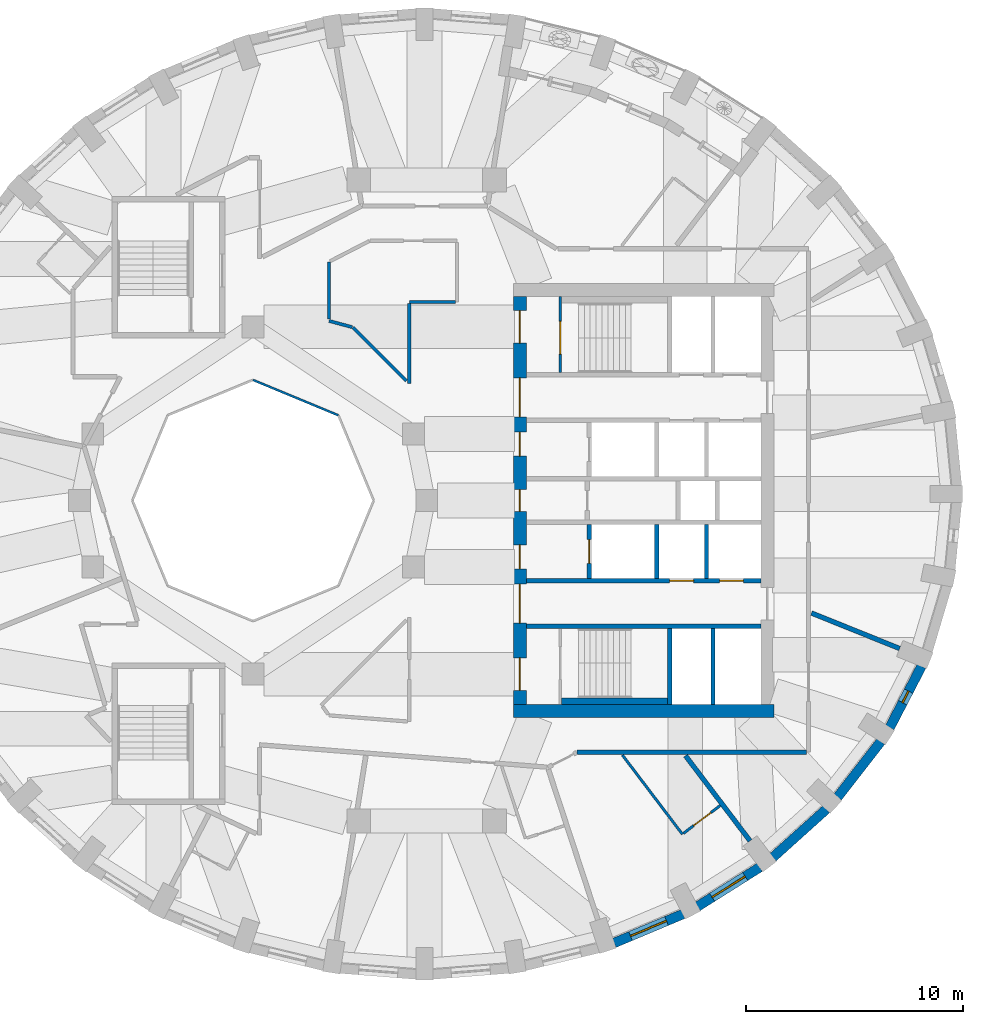
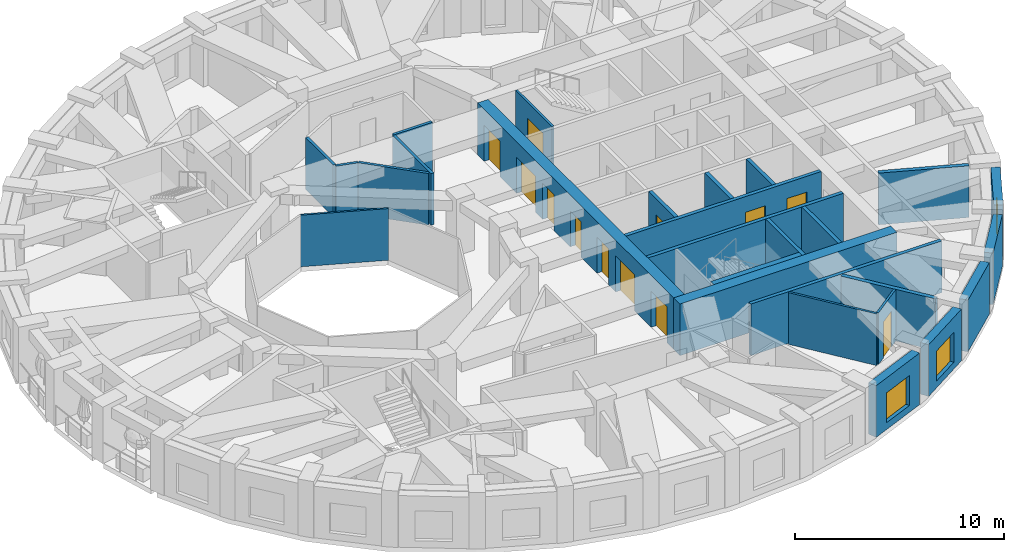
# One storey, part 5 of 12: 27 walls, 12 doors, 3 windows, 15 openings.
"""IFC4 building model written with IfcOpenShell, lengths in metres."""

import ifcopenshell
import ifcopenshell.guid

model = None  # the IFC model being written
_history = None  # IfcOwnerHistory: only IFC2X3 demands one
_inside = {}  # id of a spatial element -> (the spatial element, [elements in it])
_under = {}  # id of a project, library or spatial element -> (it, [spatial elements below it])
_declared = {}  # id of a project -> (the project, [libraries it declares])
_typed = {}  # id of a type object -> (the type object, [elements of that type])
_made_of = {}  # id of a material, layer set ... -> (it, [elements and type objects made of it])


def new_model(schema):
    """Start an empty IFC model of exactly this schema.

    Asked for "IFC4X3", IfcOpenShell would pick the latest addendum, in which some entities
    have other attributes; the version numbers below select the first issue.
    IFC2X3 requires an IfcOwnerHistory on every rooted entity: one is made here for all.
    """
    global model, _history
    if schema == "IFC4X3":
        model = ifcopenshell.file(schema_version=(4, 3, 0, 0))
    else:
        model = ifcopenshell.file(schema=schema)
    _inside.clear()
    _under.clear()
    _declared.clear()
    _typed.clear()
    _made_of.clear()
    _history = None
    if model.schema == "IFC2X3":
        org = make("IfcOrganization", Name="unknown")
        user = make(
            "IfcPersonAndOrganization",
            ThePerson=make("IfcPerson", FamilyName="unknown"),
            TheOrganization=org,
        )
        app = make(
            "IfcApplication",
            ApplicationDeveloper=org,
            Version="unknown",
            ApplicationFullName="unknown",
            ApplicationIdentifier="unknown",
        )
        _history = make(
            "IfcOwnerHistory",
            OwningUser=user,
            OwningApplication=app,
            ChangeAction="ADDED",
            CreationDate=0,
        )
    return model


def make(cls, **values):
    """One entity of the class cls with the attributes given. An attribute that is None is left unset."""
    return model.create_entity(
        cls, **{name: value for name, value in values.items() if value is not None}
    )


def rooted(cls, **values):
    """An entity with a GlobalId (a new one), such as an element, a storey or a relation."""
    return make(cls, GlobalId=ifcopenshell.guid.new(), OwnerHistory=_history, **values)


def si_unit(unit_type, name, prefix=None):
    """IfcSIUnit, for example si_unit("LENGTHUNIT", "METRE", prefix="MILLI")."""
    return make("IfcSIUnit", UnitType=unit_type, Prefix=prefix, Name=name)


def assignment(units):
    """IfcUnitAssignment: the units of a project."""
    return None if units is None else make("IfcUnitAssignment", Units=units)


def point(xyz):
    """IfcCartesianPoint."""
    return None if xyz is None else make("IfcCartesianPoint", Coordinates=xyz)


def direction(xyz):
    """IfcDirection."""
    return None if xyz is None else make("IfcDirection", DirectionRatios=xyz)


def frame(location, z_axis=None, x_axis=None):
    """IfcAxis2Placement3D, a coordinate frame: its origin and axes. An axis left out is left unset."""
    return make(
        "IfcAxis2Placement3D",
        Location=point(location),
        Axis=direction(z_axis),
        RefDirection=direction(x_axis),
    )


def frame_2d(location, x_axis=None):
    """IfcAxis2Placement2D, a coordinate frame in the plane: its origin and x axis."""
    return make(
        "IfcAxis2Placement2D", Location=point(location), RefDirection=direction(x_axis)
    )


def origin():
    """The frame at (0, 0, 0) with its axes left unset."""
    return frame((0.0, 0.0, 0.0))


def place(relative_to, where):
    """IfcLocalPlacement: puts the frame where relative to a parent placement (None: the world)."""
    return make(
        "IfcLocalPlacement", PlacementRelTo=relative_to, RelativePlacement=where
    )


def context(
    kind, dimensions, precision=None, world=None, true_north=None, identifier=None
):
    """IfcGeometricRepresentationContext, for example the 3D "Model" context."""
    return make(
        "IfcGeometricRepresentationContext",
        ContextIdentifier=identifier,
        ContextType=kind,
        CoordinateSpaceDimension=dimensions,
        Precision=precision,
        WorldCoordinateSystem=world,
        TrueNorth=true_north,
    )


def subcontext(parent, identifier, kind, view, scale=None):
    """IfcGeometricRepresentationSubContext, for example "Body" below "Model"."""
    return make(
        "IfcGeometricRepresentationSubContext",
        ContextIdentifier=identifier,
        ContextType=kind,
        ParentContext=parent,
        TargetScale=scale,
        TargetView=view,
    )


def project(units=None, contexts=None):
    """IfcProject with its units and contexts."""
    return rooted(
        "IfcProject",
        Name="project",
        RepresentationContexts=contexts,
        UnitsInContext=assignment(units),
    )


def spatial(cls, under=None, at=None, **own):
    """A site, building, storey or space (cls), placed at a placement, below another one or the project."""
    s = rooted(cls, ObjectPlacement=at, **own)
    if under is not None:
        _under.setdefault(under.id(), (under, []))[1].append(s)
    return s


def profile(cls, at=None, kind="AREA", **sizes):
    """A parametric profile (cls). Its sizes go by their IFC names, for example OverallWidth=200.0."""
    return make(cls, ProfileType=kind, Position=at, **sizes)


def rectangle(**sizes):
    """IfcRectangleProfileDef."""
    return profile("IfcRectangleProfileDef", **sizes)


def extrude(swept, where, along, depth):
    """IfcExtrudedAreaSolid: the profile swept, set in the frame where, extruded along a direction by depth."""
    return make(
        "IfcExtrudedAreaSolid",
        SweptArea=swept,
        Position=where,
        ExtrudedDirection=direction(along),
        Depth=depth,
    )


def shape(context_of_items, identifier, shape_type, items):
    """IfcShapeRepresentation: the items that make up one representation, for example the "Body"."""
    return make(
        "IfcShapeRepresentation",
        ContextOfItems=context_of_items,
        RepresentationIdentifier=identifier,
        RepresentationType=shape_type,
        Items=items,
    )


def material(Name=None, Category=None):
    """IfcMaterial."""
    return make("IfcMaterial", Name=Name, Category=Category)


def layer(
    of_material, thickness, ventilated=None, Name=None, Category=None, Priority=None
):
    """IfcMaterialLayer: one layer of a wall or slab, of a material (None: an air gap)."""
    return make(
        "IfcMaterialLayer",
        Material=of_material,
        LayerThickness=thickness,
        IsVentilated=ventilated,
        Name=Name,
        Category=Category,
        Priority=Priority,
    )


def layer_set(layers, Name=None):
    """IfcMaterialLayerSet."""
    return make("IfcMaterialLayerSet", MaterialLayers=layers, LayerSetName=Name)


def made_of(thing, what):
    """Note that an element or type object is made of a material, layer set ...; save() writes the relation."""
    if what is not None:
        _made_of.setdefault(what.id(), (what, []))[1].append(thing)
    return thing


def type_object(cls, material=None, **own):
    """A type object (cls), such as IfcWallType, which elements share."""
    return made_of(rooted(cls, **own), material)


def element(
    cls,
    number,
    at=None,
    inside=None,
    cuts=None,
    type_object=None,
    material=None,
    context=None,
    identifier="Body",
    shape_type=None,
    held_by="IfcProductDefinitionShape",
    body=None,
    shapes=None,
    **own,
):
    """One element of the class cls, such as IfcWall. Its Tag is "e" and its number.

    at: its placement. inside: the storey or other place that contains it. cuts: it is an
    opening in that element (IfcRelVoidsElement). A single representation is given by context,
    identifier, shape_type and body (its items); several are given by shapes. held_by: the class
    of the entity that holds the representations. save() writes the other relations.
    """
    e = rooted(cls, Tag="e%d" % number, ObjectPlacement=at, **own)
    if body is not None:
        shapes = [shape(context, identifier, shape_type, body)]
    if shapes is not None:
        e.Representation = make(held_by, Representations=shapes)
    if inside is not None:
        _inside.setdefault(inside.id(), (inside, []))[1].append(e)
    if cuts is not None:
        rooted(
            "IfcRelVoidsElement", RelatingBuildingElement=cuts, RelatedOpeningElement=e
        )
    if type_object is not None:
        _typed.setdefault(type_object.id(), (type_object, []))[1].append(e)
    return made_of(e, material)


def fill(opening, filler):
    """IfcRelFillsElement: the door or window that sits in an opening."""
    return rooted(
        "IfcRelFillsElement",
        RelatingOpeningElement=opening,
        RelatedBuildingElement=filler,
    )


def aggregate(whole, parts):
    """IfcRelAggregates: a whole, such as a stair, and the parts it consists of."""
    return rooted("IfcRelAggregates", RelatingObject=whole, RelatedObjects=parts)


def save(model, path):
    """Write the relations noted so far, then the file.

    IfcRelAggregates (storeys below a building ...), IfcRelContainedInSpatialStructure (elements
    in a storey), IfcRelDefinesByType, IfcRelAssociatesMaterial and IfcRelDeclares: one each for
    every whole, place, type object, material and project.
    """
    for whole, parts in _under.values():
        aggregate(whole, parts)
    for where, things in _inside.values():
        rooted(
            "IfcRelContainedInSpatialStructure",
            RelatedElements=things,
            RelatingStructure=where,
        )
    for kind, things in _typed.values():
        rooted("IfcRelDefinesByType", RelatedObjects=things, RelatingType=kind)
    for what, things in _made_of.values():
        rooted("IfcRelAssociatesMaterial", RelatedObjects=things, RelatingMaterial=what)
    for by, libraries in _declared.values():
        rooted("IfcRelDeclares", RelatingContext=by, RelatedDefinitions=libraries)
    model.write(path)


model = new_model("IFC4")

# Units and contexts
model_context = context("Model", 3, precision=1e-05, world=origin(), true_north=direction((0.0, 1.0)))
body_context = subcontext(model_context, "Body", "Model", "MODEL_VIEW")
ifc_project = project(units=[si_unit("LENGTHUNIT", "METRE"), si_unit("AREAUNIT", "SQUARE_METRE"), si_unit("VOLUMEUNIT", "CUBIC_METRE"), si_unit("PLANEANGLEUNIT", "RADIAN"), si_unit("MASSUNIT", "GRAM", prefix="KILO")], contexts=[model_context])

# Site, building, storey
site_placement = place(None, origin())
site = spatial("IfcSite", under=ifc_project, at=site_placement, CompositionType="ELEMENT")
building_placement = place(site_placement, origin())
building = spatial("IfcBuilding", under=site, at=building_placement, Name="Taillehof Tower", CompositionType="ELEMENT")
storey_placement = place(building_placement, frame((0.0, 0.0, 236.60009765625)))
storey = spatial("IfcBuildingStorey", under=building, at=storey_placement, Name="L67", CompositionType="ELEMENT", Elevation=236.60009765625)

# Wall
ifc_material_1 = material(Name="Fire-resisting glass in steel frame", Category="steel")
ifc_layer_1 = layer(ifc_material_1, 0.10009765625)
ifc_layer_set_1 = layer_set([ifc_layer_1], Name="Atrium fire-resisting screen EI 60 100")
wall_type_1 = type_object("IfcWallType", Name="Atrium fire-resisting screen EI 60 100", PredefinedType="PARTITIONING", material=ifc_layer_set_1)
wall_1_placement = place(storey_placement, frame((-8.0, 5.55419921875, 0.0), z_axis=(0.0, 0.0, 1.0), x_axis=(0.923860025149, -0.382730523909, 0.0)))
element("IfcWall", 1, at=wall_1_placement, inside=storey, type_object=wall_type_1, Name="Atrium screen", PredefinedType="PARTITIONING", context=body_context, shape_type="SweptSolid", body=[
    extrude(rectangle(XDim=4.2509765625, YDim=0.10009765625, at=frame_2d((2.12548828125, 0.0))), origin(), (0.0, 0.0, 1.0), 3.02001953125),
])

# Wall, opening, window
ifc_material_2 = material(Name="Brick masonry", Category="masonry")
ifc_layer_2 = layer(ifc_material_2, 0.449951171875)
ifc_layer_set_2 = layer_set([ifc_layer_2], Name="Brick infill wall 450")
wall_type_2 = type_object("IfcWallType", Name="Brick infill wall 450", PredefinedType="SOLIDWALL", material=ifc_layer_set_2)
wall_2_placement = place(storey_placement, frame((8.640869140625, -20.394775390625, 0.0), z_axis=(0.0, 0.0, 1.0), x_axis=(0.922049934692, 0.3870709469, 0.0)))
wall_2 = element("IfcWall", 2, at=wall_2_placement, inside=storey, type_object=wall_type_2, Name="Brick wall L67 bay 30", PredefinedType="SOLIDWALL", context=body_context, shape_type="SweptSolid", body=[
    extrude(rectangle(XDim=3.443115234375, YDim=0.449951171875, at=frame_2d((1.7216796875, 0.0))), origin(), (0.0, 0.0, 1.0), 3.02001953125),
])
opening_1_placement = place(wall_2_placement, frame((0.82177734375, 0.0, 0.39990234375)))
opening_1 = element("IfcOpeningElement", 3, at=opening_1_placement, cuts=wall_2, Name="Opening W4", PredefinedType="OPENING", context=body_context, shape_type="SweptSolid", body=[
    extrude(rectangle(XDim=1.800048828125, YDim=1.75, at=frame_2d((0.89990234375, 0.875))), frame((0.0, 0.23486328125, 0.0), z_axis=(0.0, -1.0, 0.0), x_axis=(1.0, 0.0, 0.0)), (0.0, 0.0, 1.0), 0.469970703125),
])
ifc_material_3 = material(Name="Aluminium window frame with clear double glazing", Category="aluminium")
window_type_1 = type_object("IfcWindowType", Name="Deep-set window 1800x1750", PartitioningType="SINGLE_PANEL", PredefinedType="WINDOW", material=ifc_material_3)
window_1_placement = place(opening_1_placement, origin())
window_1 = element("IfcWindow", 4, at=window_1_placement, inside=storey, type_object=window_type_1, Name="W4", OverallHeight=1.75, OverallWidth=1.800048828125, PartitioningType="SINGLE_PANEL", PredefinedType="WINDOW", context=body_context, shape_type="SweptSolid", body=[
    extrude(rectangle(XDim=1.800048828125, YDim=1.75, at=frame_2d((0.89990234375, 0.875))), frame((0.0, 0.034912109375, 0.0), z_axis=(0.0, -1.0, 0.0), x_axis=(1.0, 0.0, 0.0)), (0.0, 0.0, 1.0), 0.06005859375),
])
fill(opening_1, window_1)

wall_3_placement = place(storey_placement, frame((12.489990234375, -18.7109375, 0.0), z_axis=(0.0, 0.0, 1.0), x_axis=(0.845929139811, 0.53329531258, 0.0)))
wall_3 = element("IfcWall", 5, at=wall_3_placement, inside=storey, type_object=wall_type_2, Name="Brick wall L67 bay 31", PredefinedType="SOLIDWALL", context=body_context, shape_type="SweptSolid", body=[
    extrude(rectangle(XDim=3.384521484375, YDim=0.449951171875, at=frame_2d((1.6923828125, 0.0))), origin(), (0.0, 0.0, 1.0), 3.02001953125),
])
opening_2_placement = place(wall_3_placement, frame((0.792236328125, 0.0, 0.39990234375)))
opening_2 = element("IfcOpeningElement", 6, at=opening_2_placement, cuts=wall_3, Name="Opening W4", PredefinedType="OPENING", context=body_context, shape_type="SweptSolid", body=[
    extrude(rectangle(XDim=1.800048828125, YDim=1.75, at=frame_2d((0.89990234375, 0.875))), frame((0.0, 0.23486328125, 0.0), z_axis=(0.0, -1.0, 0.0), x_axis=(1.0, 0.0, 0.0)), (0.0, 0.0, 1.0), 0.469970703125),
])
window_2_placement = place(opening_2_placement, origin())
window_2 = element("IfcWindow", 7, at=window_2_placement, inside=storey, type_object=window_type_1, Name="W4", OverallHeight=1.75, OverallWidth=1.800048828125, PartitioningType="SINGLE_PANEL", PredefinedType="WINDOW", context=body_context, shape_type="SweptSolid", body=[
    extrude(rectangle(XDim=1.800048828125, YDim=1.75, at=frame_2d((0.89990234375, 0.875))), frame((0.0, 0.034912109375, 0.0), z_axis=(0.0, -1.0, 0.0), x_axis=(1.0, 0.0, 0.0)), (0.0, 0.0, 1.0), 0.06005859375),
])
fill(opening_2, window_2)

# Walls
wall_4_placement = place(storey_placement, frame((15.959228515625, -16.447509765625, 0.0), z_axis=(0.0, 0.0, 1.0), x_axis=(0.743166014219, 0.669107073128, 0.0)))
element("IfcWall", 8, at=wall_4_placement, inside=storey, type_object=wall_type_2, Name="Brick wall L67 bay 32", PredefinedType="SOLIDWALL", context=body_context, shape_type="SweptSolid", body=[
    extrude(rectangle(XDim=3.31640625, YDim=0.449951171875, at=frame_2d((1.658203125, 0.0))), origin(), (0.0, 0.0, 1.0), 3.02001953125),
])
wall_5_placement = place(storey_placement, frame((18.941650390625, -13.671875, 0.0), z_axis=(0.0, 0.0, 1.0), x_axis=(0.613898970825, 0.789384604372, 0.0)))
element("IfcWall", 9, at=wall_5_placement, inside=storey, type_object=wall_type_2, Name="Brick wall L67 bay 33", PredefinedType="SOLIDWALL", context=body_context, shape_type="SweptSolid", body=[
    extrude(rectangle(XDim=3.2470703125, YDim=0.449951171875, at=frame_2d((1.62353515625, 0.0))), origin(), (0.0, 0.0, 1.0), 3.02001953125),
])

# Wall, opening, window
wall_6_placement = place(storey_placement, frame((21.344970703125, -10.46826171875, 0.0), z_axis=(0.0, 0.0, 1.0), x_axis=(0.459921155255, 0.887959757505, 0.0)))
wall_6 = element("IfcWall", 10, at=wall_6_placement, inside=storey, type_object=wall_type_2, Name="Brick wall L67 bay 34", PredefinedType="SOLIDWALL", context=body_context, shape_type="SweptSolid", body=[
    extrude(rectangle(XDim=3.185546875, YDim=0.449951171875, at=frame_2d((1.5927734375, 0.0))), origin(), (0.0, 0.0, 1.0), 3.02001953125),
])
opening_3_placement = place(wall_6_placement, frame((1.292724609375, 0.0, 0.39990234375)))
opening_3 = element("IfcOpeningElement", 11, at=opening_3_placement, cuts=wall_6, Name="Opening W6", PredefinedType="OPENING", context=body_context, shape_type="SweptSolid", body=[
    extrude(rectangle(XDim=0.60009765625, YDim=1.75, at=frame_2d((0.300048828125, 0.875))), frame((0.0, 0.23486328125, 0.0), z_axis=(0.0, -1.0, 0.0), x_axis=(1.0, 0.0, 0.0)), (0.0, 0.0, 1.0), 0.469970703125),
])
ifc_material_4 = material(Name="Aluminium window frame with clear double glazing", Category="aluminium")
window_type_2 = type_object("IfcWindowType", Name="Slot window 600x1750", PartitioningType="SINGLE_PANEL", PredefinedType="WINDOW", material=ifc_material_4)
window_3_placement = place(opening_3_placement, origin())
window_3 = element("IfcWindow", 12, at=window_3_placement, inside=storey, type_object=window_type_2, Name="W6", OverallHeight=1.75, OverallWidth=0.60009765625, PartitioningType="SINGLE_PANEL", PredefinedType="WINDOW", context=body_context, shape_type="SweptSolid", body=[
    extrude(rectangle(XDim=0.60009765625, YDim=1.75, at=frame_2d((0.300048828125, 0.875))), frame((0.0, 0.034912109375, 0.0), z_axis=(0.0, -1.0, 0.0), x_axis=(1.0, 0.0, 0.0)), (0.0, 0.0, 1.0), 0.06005859375),
])
fill(opening_3, window_3)

# Walls
ifc_material_5 = material(Name="Gypsum board on steel studs, two layers each side", Category="steel")
ifc_layer_3 = layer(ifc_material_5, 0.199951171875)
ifc_layer_set_3 = layer_set([ifc_layer_3], Name="Compartment wall corridor 200")
wall_type_3 = type_object("IfcWallType", Name="Compartment wall corridor 200", PredefinedType="PARTITIONING", material=ifc_layer_set_3)
wall_7_placement = place(storey_placement, frame((17.5, -11.60009765625, 0.0), z_axis=(0.0, 0.0, 1.0), x_axis=(-1.0, 0.0, 0.0)))
element("IfcWall", 13, at=wall_7_placement, inside=storey, type_object=wall_type_3, Name="Compartment wall", PredefinedType="PARTITIONING", context=body_context, shape_type="SweptSolid", body=[
    extrude(rectangle(XDim=10.561767578125, YDim=0.199951171875, at=frame_2d((5.28076171875, 0.0))), origin(), (0.0, 0.0, 1.0), 3.02001953125),
])
ifc_material_6 = material(Name="Gypsum board on double steel studs with mineral wool", Category="steel")
ifc_layer_4 = layer(ifc_material_6, 0.219970703125)
ifc_layer_set_4 = layer_set([ifc_layer_4], Name="Compartment wall guest room 220")
wall_type_4 = type_object("IfcWallType", Name="Compartment wall guest room 220", PredefinedType="PARTITIONING", material=ifc_layer_set_4)
wall_8_placement = place(storey_placement, frame((14.906005859375, -15.687255859375, 0.0), z_axis=(0.0, 0.0, 1.0), x_axis=(-0.604078206052, 0.796925041, 0.0)))
element("IfcWall", 14, at=wall_8_placement, inside=storey, type_object=wall_type_4, Name="Compartment wall", PredefinedType="PARTITIONING", context=body_context, shape_type="SweptSolid", body=[
    extrude(rectangle(XDim=4.92333984375, YDim=0.219970703125, at=frame_2d((2.461669921875, 0.0))), origin(), (0.0, 0.0, 1.0), 3.02001953125),
])
wall_9_placement = place(storey_placement, frame((21.803955078125, -6.824462890625, 0.0), z_axis=(0.0, 0.0, 1.0), x_axis=(-0.927528978592, 0.373751245981, 0.0)))
element("IfcWall", 15, at=wall_9_placement, inside=storey, type_object=wall_type_4, Name="Compartment wall", PredefinedType="PARTITIONING", context=body_context, shape_type="SweptSolid", body=[
    extrude(rectangle(XDim=4.38427734375, YDim=0.219970703125, at=frame_2d((2.192138671875, 0.0))), origin(), (0.0, 0.0, 1.0), 3.02001953125),
])
ifc_material_7 = material(Name="Calcium silicate masonry", Category="masonry")
ifc_layer_5 = layer(ifc_material_7, 0.300048828125)
ifc_layer_set_5 = layer_set([ifc_layer_5], Name="Compartment wall lining calcium silicate 300")
wall_type_5 = type_object("IfcWallType", Name="Compartment wall lining calcium silicate 300", PredefinedType="PARTITIONING", material=ifc_layer_set_5)
wall_10_placement = place(storey_placement, frame((6.219970703125, -9.25, 0.0), z_axis=(0.0, 0.0, 1.0), x_axis=(1.0, 0.0, 0.0)))
element("IfcWall", 16, at=wall_10_placement, inside=storey, type_object=wall_type_5, Name="Compartment wall FW", PredefinedType="PARTITIONING", context=body_context, shape_type="SweptSolid", body=[
    extrude(rectangle(XDim=4.880126953125, YDim=0.300048828125, at=frame_2d((2.43994140625, 0.0))), origin(), (0.0, 0.0, 1.0), 3.02001953125),
])
ifc_material_8 = material(Name="Gypsum board on steel studs, two layers each side", Category="steel")
ifc_layer_6 = layer(ifc_material_8, 0.14990234375)
ifc_layer_set_6 = layer_set([ifc_layer_6], Name="Compartment wall service room 150")
wall_type_6 = type_object("IfcWallType", Name="Compartment wall service room 150", PredefinedType="PARTITIONING", material=ifc_layer_set_6)
wall_11_placement = place(storey_placement, frame((1.31982421875, 9.14990234375, 0.0), z_axis=(0.0, 0.0, 1.0), x_axis=(-1.0, 0.0, 0.0)))
element("IfcWall", 17, at=wall_11_placement, inside=storey, type_object=wall_type_6, Name="Compartment wall", PredefinedType="PARTITIONING", context=body_context, shape_type="SweptSolid", body=[
    extrude(rectangle(XDim=2.119873046875, YDim=0.14990234375, at=frame_2d((1.06005859375, 0.0))), origin(), (0.0, 0.0, 1.0), 3.02001953125),
])
wall_12_placement = place(storey_placement, frame((-0.800048828125, 9.06982421875, 0.0), z_axis=(0.0, 0.0, 1.0), x_axis=(0.0, -1.0, 0.0)))
element("IfcWall", 18, at=wall_12_placement, inside=storey, type_object=wall_type_6, Name="Compartment wall", PredefinedType="PARTITIONING", context=body_context, shape_type="SweptSolid", body=[
    extrude(rectangle(XDim=3.683349609375, YDim=0.14990234375, at=frame_2d((1.841796875, 0.0))), origin(), (0.0, 0.0, 1.0), 3.02001953125),
])
wall_13_placement = place(storey_placement, frame((-0.927490234375, 5.513916015625, 0.0), z_axis=(0.0, 0.0, 1.0), x_axis=(-0.707106781187, 0.707106781187, 0.0)))
element("IfcWall", 19, at=wall_13_placement, inside=storey, type_object=wall_type_6, Name="Compartment wall", PredefinedType="PARTITIONING", context=body_context, shape_type="SweptSolid", body=[
    extrude(rectangle(XDim=3.48681640625, YDim=0.14990234375, at=frame_2d((1.743408203125, 0.0))), origin(), (0.0, 0.0, 1.0), 3.02001953125),
])
wall_14_placement = place(storey_placement, frame((-3.431640625, 7.98974609375, 0.0), z_axis=(0.0, 0.0, 1.0), x_axis=(-0.965900750832, 0.258912609855, 0.0)))
element("IfcWall", 20, at=wall_14_placement, inside=storey, type_object=wall_type_6, Name="Compartment wall", PredefinedType="PARTITIONING", context=body_context, shape_type="SweptSolid", body=[
    extrude(rectangle(XDim=1.10595703125, YDim=0.14990234375, at=frame_2d((0.552978515625, 0.0))), origin(), (0.0, 0.0, 1.0), 3.02001953125),
])
wall_15_placement = place(storey_placement, frame((-4.5, 8.356201171875, 0.0), z_axis=(0.0, 0.0, 1.0), x_axis=(0.0, 1.0, 0.0)))
element("IfcWall", 21, at=wall_15_placement, inside=storey, type_object=wall_type_6, Name="Compartment wall", PredefinedType="PARTITIONING", context=body_context, shape_type="SweptSolid", body=[
    extrude(rectangle(XDim=2.645263671875, YDim=0.14990234375, at=frame_2d((1.32275390625, 0.0))), origin(), (0.0, 0.0, 1.0), 3.02001953125),
])

# Wall, openings, doors
ifc_material_9 = material(Name="Concrete C80/95", Category="concrete")
ifc_layer_7 = layer(ifc_material_9, 0.60009765625)
ifc_layer_set_7 = layer_set([ifc_layer_7], Name="Core wall C80/95 600")
wall_type_7 = type_object("IfcWallType", Name="Core wall C80/95 600", PredefinedType="SHEAR", material=ifc_layer_set_7)
wall_16_placement = place(storey_placement, frame((4.300048828125, -9.39990234375, 0.0), z_axis=(0.0, 0.0, 1.0), x_axis=(0.0, 1.0, 0.0)))
wall_16 = element("IfcWall", 22, at=wall_16_placement, inside=storey, type_object=wall_type_7, Name="Core wall CW01", PredefinedType="SHEAR", context=body_context, shape_type="SweptSolid", body=[
    extrude(rectangle(XDim=18.7998046875, YDim=0.60009765625, at=frame_2d((9.39990234375, 0.0))), origin(), (0.0, 0.0, 1.0), 3.02001953125),
])
opening_4_placement = place(wall_16_placement, frame((0.64990234375, 0.0, 0.0)))
opening_4 = element("IfcOpeningElement", 23, at=opening_4_placement, cuts=wall_16, Name="Opening D6701", PredefinedType="OPENING", context=body_context, shape_type="SweptSolid", body=[
    extrude(rectangle(XDim=1.5, YDim=2.10009765625, at=frame_2d((0.75, 1.050048828125))), frame((0.0, 0.31005859375, 0.0), z_axis=(0.0, -1.0, 0.0), x_axis=(1.0, 0.0, 0.0)), (0.0, 0.0, 1.0), 0.6201171875),
])
opening_5_placement = place(wall_16_placement, frame((3.75, 0.0, 0.0)))
opening_5 = element("IfcOpeningElement", 24, at=opening_5_placement, cuts=wall_16, Name="Opening D6702", PredefinedType="OPENING", context=body_context, shape_type="SweptSolid", body=[
    extrude(rectangle(XDim=1.800048828125, YDim=2.10009765625, at=frame_2d((0.89990234375, 1.050048828125))), frame((0.0, 0.31005859375, 0.0), z_axis=(0.0, -1.0, 0.0), x_axis=(1.0, 0.0, 0.0)), (0.0, 0.0, 1.0), 0.6201171875),
])
opening_6_placement = place(wall_16_placement, frame((6.25, 0.0, 0.0)))
opening_6 = element("IfcOpeningElement", 25, at=opening_6_placement, cuts=wall_16, Name="Opening D6703", PredefinedType="OPENING", context=body_context, shape_type="SweptSolid", body=[
    extrude(rectangle(XDim=1.10009765625, YDim=2.10009765625, at=frame_2d((0.550048828125, 1.050048828125))), frame((0.0, 0.31005859375, 0.0), z_axis=(0.0, -1.0, 0.0), x_axis=(1.0, 0.0, 0.0)), (0.0, 0.0, 1.0), 0.6201171875),
])
opening_7_placement = place(wall_16_placement, frame((8.89990234375, 0.0, 0.0)))
opening_7 = element("IfcOpeningElement", 26, at=opening_7_placement, cuts=wall_16, Name="Opening D6704", PredefinedType="OPENING", context=body_context, shape_type="SweptSolid", body=[
    extrude(rectangle(XDim=1.0, YDim=2.10009765625, at=frame_2d((0.5, 1.050048828125))), frame((0.0, 0.31005859375, 0.0), z_axis=(0.0, -1.0, 0.0), x_axis=(1.0, 0.0, 0.0)), (0.0, 0.0, 1.0), 0.6201171875),
])
opening_8_placement = place(wall_16_placement, frame((11.449951171875, 0.0, 0.0)))
opening_8 = element("IfcOpeningElement", 27, at=opening_8_placement, cuts=wall_16, Name="Opening D6705", PredefinedType="OPENING", context=body_context, shape_type="SweptSolid", body=[
    extrude(rectangle(XDim=1.10009765625, YDim=2.10009765625, at=frame_2d((0.550048828125, 1.050048828125))), frame((0.0, 0.31005859375, 0.0), z_axis=(0.0, -1.0, 0.0), x_axis=(1.0, 0.0, 0.0)), (0.0, 0.0, 1.0), 0.6201171875),
])
opening_9_placement = place(wall_16_placement, frame((13.25, 0.0, 0.0)))
opening_9 = element("IfcOpeningElement", 28, at=opening_9_placement, cuts=wall_16, Name="Opening D6706", PredefinedType="OPENING", context=body_context, shape_type="SweptSolid", body=[
    extrude(rectangle(XDim=1.800048828125, YDim=2.10009765625, at=frame_2d((0.89990234375, 1.050048828125))), frame((0.0, 0.31005859375, 0.0), z_axis=(0.0, -1.0, 0.0), x_axis=(1.0, 0.0, 0.0)), (0.0, 0.0, 1.0), 0.6201171875),
])
opening_10_placement = place(wall_16_placement, frame((16.64990234375, 0.0, 0.0)))
opening_10 = element("IfcOpeningElement", 29, at=opening_10_placement, cuts=wall_16, Name="Opening D6707", PredefinedType="OPENING", context=body_context, shape_type="SweptSolid", body=[
    extrude(rectangle(XDim=1.5, YDim=2.10009765625, at=frame_2d((0.75, 1.050048828125))), frame((0.0, 0.31005859375, 0.0), z_axis=(0.0, -1.0, 0.0), x_axis=(1.0, 0.0, 0.0)), (0.0, 0.0, 1.0), 0.6201171875),
])
ifc_material_10 = material(Name="Steel-faced fire door", Category="steel")
door_type_1 = type_object("IfcDoorType", Name="Firefighting lobby door 1100x2100", OperationType="SINGLE_SWING_RIGHT", PredefinedType="DOOR", material=ifc_material_10)
door_1_placement = place(opening_6_placement, origin())
door_1 = element("IfcDoor", 30, at=door_1_placement, inside=storey, type_object=door_type_1, Name="Firefighting lobby door FFL-S", OperationType="SINGLE_SWING_RIGHT", OverallHeight=2.10009765625, OverallWidth=1.10009765625, PredefinedType="DOOR", context=body_context, shape_type="SweptSolid", body=[
    extrude(rectangle(XDim=1.10009765625, YDim=2.10009765625, at=frame_2d((0.550048828125, 1.050048828125))), frame((0.0, 0.02490234375, 0.0), z_axis=(0.0, -1.0, 0.0), x_axis=(1.0, 0.0, 0.0)), (0.0, 0.0, 1.0), 0.050048828125),
])
fill(opening_6, door_1)
door_2_placement = place(opening_8_placement, origin())
door_2 = element("IfcDoor", 31, at=door_2_placement, inside=storey, type_object=door_type_1, Name="Firefighting lobby door FFL-N", OperationType="SINGLE_SWING_LEFT", OverallHeight=2.10009765625, OverallWidth=1.10009765625, PredefinedType="DOOR", context=body_context, shape_type="SweptSolid", body=[
    extrude(rectangle(XDim=1.10009765625, YDim=2.10009765625, at=frame_2d((0.550048828125, 1.050048828125))), frame((0.0, 0.02490234375, 0.0), z_axis=(0.0, -1.0, 0.0), x_axis=(1.0, 0.0, 0.0)), (0.0, 0.0, 1.0), 0.050048828125),
])
fill(opening_8, door_2)
ifc_material_11 = material(Name="Steel-faced fire door", Category="steel")
door_type_2 = type_object("IfcDoorType", Name="Lift lobby door 1800x2100", OperationType="DOUBLE_DOOR_SINGLE_SWING", PredefinedType="DOOR", material=ifc_material_11)
door_3_placement = place(opening_5_placement, origin())
door_3 = element("IfcDoor", 32, at=door_3_placement, inside=storey, type_object=door_type_2, Name="Lift lobby door LL-S", OperationType="DOUBLE_DOOR_SINGLE_SWING", OverallHeight=2.10009765625, OverallWidth=1.800048828125, PredefinedType="DOOR", context=body_context, shape_type="SweptSolid", body=[
    extrude(rectangle(XDim=1.800048828125, YDim=2.10009765625, at=frame_2d((0.89990234375, 1.050048828125))), frame((0.0, 0.02490234375, 0.0), z_axis=(0.0, -1.0, 0.0), x_axis=(1.0, 0.0, 0.0)), (0.0, 0.0, 1.0), 0.050048828125),
])
fill(opening_5, door_3)
door_4_placement = place(opening_9_placement, origin())
door_4 = element("IfcDoor", 33, at=door_4_placement, inside=storey, type_object=door_type_2, Name="Lift lobby door LL-N", OperationType="DOUBLE_DOOR_SINGLE_SWING", OverallHeight=2.10009765625, OverallWidth=1.800048828125, PredefinedType="DOOR", context=body_context, shape_type="SweptSolid", body=[
    extrude(rectangle(XDim=1.800048828125, YDim=2.10009765625, at=frame_2d((0.89990234375, 1.050048828125))), frame((0.0, 0.02490234375, 0.0), z_axis=(0.0, -1.0, 0.0), x_axis=(1.0, 0.0, 0.0)), (0.0, 0.0, 1.0), 0.050048828125),
])
fill(opening_9, door_4)
ifc_material_12 = material(Name="Steel-faced fire door", Category="steel")
door_type_3 = type_object("IfcDoorType", Name="Service door 1000x2100", OperationType="SINGLE_SWING_RIGHT", PredefinedType="DOOR", material=ifc_material_12)
door_5_placement = place(opening_7_placement, origin())
door_5 = element("IfcDoor", 34, at=door_5_placement, inside=storey, type_object=door_type_3, Name="Service door SV", OperationType="SINGLE_SWING_LEFT", OverallHeight=2.10009765625, OverallWidth=1.0, PredefinedType="DOOR", context=body_context, shape_type="SweptSolid", body=[
    extrude(rectangle(XDim=1.0, YDim=2.10009765625, at=frame_2d((0.5, 1.050048828125))), frame((0.0, 0.02490234375, 0.0), z_axis=(0.0, -1.0, 0.0), x_axis=(1.0, 0.0, 0.0)), (0.0, 0.0, 1.0), 0.050048828125),
])
fill(opening_7, door_5)
ifc_material_13 = material(Name="Steel-faced fire door", Category="steel")
door_type_4 = type_object("IfcDoorType", Name="Stair door 1500x2100", OperationType="DOUBLE_DOOR_SINGLE_SWING", PredefinedType="DOOR", material=ifc_material_13)
door_6_placement = place(opening_4_placement, origin())
door_6 = element("IfcDoor", 35, at=door_6_placement, inside=storey, type_object=door_type_4, Name="Stair door S2", OperationType="DOUBLE_DOOR_SINGLE_SWING", OverallHeight=2.10009765625, OverallWidth=1.5, PredefinedType="DOOR", context=body_context, shape_type="SweptSolid", body=[
    extrude(rectangle(XDim=1.5, YDim=2.10009765625, at=frame_2d((0.75, 1.050048828125))), frame((0.0, 0.02490234375, 0.0), z_axis=(0.0, -1.0, 0.0), x_axis=(1.0, 0.0, 0.0)), (0.0, 0.0, 1.0), 0.050048828125),
])
fill(opening_4, door_6)
door_7_placement = place(opening_10_placement, origin())
door_7 = element("IfcDoor", 36, at=door_7_placement, inside=storey, type_object=door_type_4, Name="Stair door S1", OperationType="DOUBLE_DOOR_SINGLE_SWING", OverallHeight=2.10009765625, OverallWidth=1.5, PredefinedType="DOOR", context=body_context, shape_type="SweptSolid", body=[
    extrude(rectangle(XDim=1.5, YDim=2.10009765625, at=frame_2d((0.75, 1.050048828125))), frame((0.0, 0.02490234375, 0.0), z_axis=(0.0, -1.0, 0.0), x_axis=(1.0, 0.0, 0.0)), (0.0, 0.0, 1.0), 0.050048828125),
])
fill(opening_10, door_7)

# Walls
wall_17_placement = place(storey_placement, frame((4.0, -9.699951171875, 0.0), z_axis=(0.0, 0.0, 1.0), x_axis=(1.0, 0.0, 0.0)))
element("IfcWall", 37, at=wall_17_placement, inside=storey, type_object=wall_type_7, Name="Core wall CW07", PredefinedType="SHEAR", context=body_context, shape_type="SweptSolid", body=[
    extrude(rectangle(XDim=12.0, YDim=0.60009765625, at=frame_2d((6.0, 0.0))), origin(), (0.0, 0.0, 1.0), 3.02001953125),
])
ifc_material_14 = material(Name="Gypsum board on steel studs, moisture resistant", Category="steel")
ifc_layer_8 = layer(ifc_material_14, 0.1201171875)
ifc_layer_set_8 = layer_set([ifc_layer_8], Name="En-suite wall 120")
wall_type_8 = type_object("IfcWallType", Name="En-suite wall 120", PredefinedType="PARTITIONING", material=ifc_layer_set_8)
wall_18_placement = place(storey_placement, frame((9.02197265625, -11.73193359375, 0.0), z_axis=(0.0, 0.0, 1.0), x_axis=(0.604079451594, -0.796924096863, 0.0)))
element("IfcWall", 38, at=wall_18_placement, inside=storey, type_object=wall_type_8, Name="En-suite wall", PredefinedType="PARTITIONING", context=body_context, shape_type="SweptSolid", body=[
    extrude(rectangle(XDim=4.577880859375, YDim=0.1201171875, at=frame_2d((2.2890625, 0.0))), origin(), (0.0, 0.0, 1.0), 3.02001953125),
])

# Wall, opening, door
wall_19_placement = place(storey_placement, frame((11.8349609375, -15.34423828125, 0.0), z_axis=(0.0, 0.0, 1.0), x_axis=(0.79693666797, 0.604062866964, 0.0)))
wall_19 = element("IfcWall", 39, at=wall_19_placement, inside=storey, type_object=wall_type_8, Name="En-suite wall", PredefinedType="PARTITIONING", context=body_context, shape_type="SweptSolid", body=[
    extrude(rectangle(XDim=2.13037109375, YDim=0.1201171875, at=frame_2d((1.065185546875, 0.0))), origin(), (0.0, 0.0, 1.0), 3.02001953125),
])
opening_11_placement = place(wall_19_placement, frame((0.59033203125, 0.0, 0.0)))
opening_11 = element("IfcOpeningElement", 40, at=opening_11_placement, cuts=wall_19, Name="Opening D6753", PredefinedType="OPENING", context=body_context, shape_type="SweptSolid", body=[
    extrude(rectangle(XDim=1.0, YDim=2.10009765625, at=frame_2d((0.5, 1.050048828125))), frame((0.0, 0.070068359375, 0.0), z_axis=(0.0, -1.0, 0.0), x_axis=(1.0, 0.0, 0.0)), (0.0, 0.0, 1.0), 0.14013671875),
])
ifc_material_15 = material(Name="Timber door leaf in steel frame", Category="steel")
door_type_5 = type_object("IfcDoorType", Name="Accessible en-suite door 1000 x 2100", OperationType="SINGLE_SWING_LEFT", PredefinedType="DOOR", material=ifc_material_15)
door_8_placement = place(opening_11_placement, origin())
door_8 = element("IfcDoor", 41, at=door_8_placement, inside=storey, type_object=door_type_5, Name="D6753", OperationType="SINGLE_SWING_LEFT", OverallHeight=2.10009765625, OverallWidth=1.0, PredefinedType="DOOR", context=body_context, shape_type="SweptSolid", body=[
    extrude(rectangle(XDim=1.0, YDim=2.10009765625, at=frame_2d((0.5, 1.050048828125))), frame((0.0, 0.02490234375, 0.0), z_axis=(0.0, -1.0, 0.0), x_axis=(1.0, 0.0, 0.0)), (0.0, 0.0, 1.0), 0.050048828125),
])
fill(opening_11, door_8)

# Wall, openings, doors
ifc_material_16 = material(Name="Concrete C50/60", Category="concrete")
ifc_layer_9 = layer(ifc_material_16, 0.199951171875)
ifc_layer_set_9 = layer_set([ifc_layer_9], Name="Shaft wall C50/60 200")
wall_type_9 = type_object("IfcWallType", Name="Shaft wall C50/60 200", PredefinedType="SHEAR", material=ifc_layer_set_9)
wall_20_placement = place(storey_placement, frame((4.60009765625, -3.699951171875, 0.0), z_axis=(0.0, 0.0, 1.0), x_axis=(1.0, 0.0, 0.0)))
wall_20 = element("IfcWall", 42, at=wall_20_placement, inside=storey, type_object=wall_type_9, Name="Shaft wall SW", PredefinedType="SHEAR", context=body_context, shape_type="SweptSolid", body=[
    extrude(rectangle(XDim=10.7998046875, YDim=0.199951171875, at=frame_2d((5.39990234375, 0.0))), origin(), (0.0, 0.0, 1.0), 3.02001953125),
])
opening_12_placement = place(wall_20_placement, frame((6.60009765625, 0.0, 0.0)))
opening_12 = element("IfcOpeningElement", 43, at=opening_12_placement, cuts=wall_20, Name="Opening LD1", PredefinedType="OPENING", context=body_context, shape_type="SweptSolid", body=[
    extrude(rectangle(XDim=1.10009765625, YDim=2.10009765625, at=frame_2d((0.550048828125, 1.050048828125))), frame((0.0, 0.10986328125, 0.0), z_axis=(0.0, -1.0, 0.0), x_axis=(1.0, 0.0, 0.0)), (0.0, 0.0, 1.0), 0.219970703125),
])
opening_13_placement = place(wall_20_placement, frame((8.89990234375, 0.0, 0.0)))
opening_13 = element("IfcOpeningElement", 44, at=opening_13_placement, cuts=wall_20, Name="Opening LD1", PredefinedType="OPENING", context=body_context, shape_type="SweptSolid", body=[
    extrude(rectangle(XDim=1.10009765625, YDim=2.10009765625, at=frame_2d((0.550048828125, 1.050048828125))), frame((0.0, 0.10986328125, 0.0), z_axis=(0.0, -1.0, 0.0), x_axis=(1.0, 0.0, 0.0)), (0.0, 0.0, 1.0), 0.219970703125),
])
ifc_material_17 = material(Name="Stainless steel", Category="steel")
door_type_6 = type_object("IfcDoorType", Name="Lift landing door LD1 1100x2100", OperationType="DOUBLE_DOOR_SLIDING", PredefinedType="DOOR", material=ifc_material_17)
door_9_placement = place(opening_12_placement, origin())
door_9 = element("IfcDoor", 45, at=door_9_placement, inside=storey, type_object=door_type_6, Name="Landing door HR5", OperationType="DOUBLE_DOOR_SLIDING", OverallHeight=2.10009765625, OverallWidth=1.10009765625, PredefinedType="DOOR", context=body_context, shape_type="SweptSolid", body=[
    extrude(rectangle(XDim=1.10009765625, YDim=2.10009765625, at=frame_2d((0.550048828125, 1.050048828125))), frame((0.0, 0.02490234375, 0.0), z_axis=(0.0, -1.0, 0.0), x_axis=(1.0, 0.0, 0.0)), (0.0, 0.0, 1.0), 0.050048828125),
])
fill(opening_12, door_9)
door_10_placement = place(opening_13_placement, origin())
door_10 = element("IfcDoor", 46, at=door_10_placement, inside=storey, type_object=door_type_6, Name="Landing door HR6", OperationType="DOUBLE_DOOR_SLIDING", OverallHeight=2.10009765625, OverallWidth=1.10009765625, PredefinedType="DOOR", context=body_context, shape_type="SweptSolid", body=[
    extrude(rectangle(XDim=1.10009765625, YDim=2.10009765625, at=frame_2d((0.550048828125, 1.050048828125))), frame((0.0, 0.02490234375, 0.0), z_axis=(0.0, -1.0, 0.0), x_axis=(1.0, 0.0, 0.0)), (0.0, 0.0, 1.0), 0.050048828125),
])
fill(opening_13, door_10)

# Walls
wall_21_placement = place(storey_placement, frame((4.60009765625, -5.800048828125, 0.0), z_axis=(0.0, 0.0, 1.0), x_axis=(1.0, 0.0, 0.0)))
element("IfcWall", 47, at=wall_21_placement, inside=storey, type_object=wall_type_9, Name="Shaft wall SW", PredefinedType="SHEAR", context=body_context, shape_type="SweptSolid", body=[
    extrude(rectangle(XDim=10.7998046875, YDim=0.199951171875, at=frame_2d((5.39990234375, 0.0))), origin(), (0.0, 0.0, 1.0), 3.02001953125),
])
for number, where, z_axis, x_axis, name in (
    (48, (11.199951171875, -9.39990234375, 0.0), (0.0, 0.0, 1.0), (0.0, 1.0, 0.0), "Shaft wall SW"),
    (49, (13.199951171875, -9.39990234375, 0.0), (0.0, 0.0, 1.0), (0.0, 1.0, 0.0), "Shaft wall SW"),
):
    element("IfcWall", number, at=place(storey_placement, frame(where, z_axis=z_axis, x_axis=x_axis)), inside=storey, type_object=wall_type_9, Name=name, PredefinedType="SHEAR", context=body_context, shape_type="SweptSolid", body=[
        extrude(rectangle(XDim=3.5, YDim=0.199951171875, at=frame_2d((1.75, 0.0))), origin(), (0.0, 0.0, 1.0), 3.02001953125),
    ])

# Wall, opening, door
wall_22_placement = place(storey_placement, frame((7.5, -3.60009765625, 0.0), z_axis=(0.0, 0.0, 1.0), x_axis=(0.0, 1.0, 0.0)))
wall_22 = element("IfcWall", 50, at=wall_22_placement, inside=storey, type_object=wall_type_9, Name="Shaft wall SW", PredefinedType="SHEAR", context=body_context, shape_type="SweptSolid", body=[
    extrude(rectangle(XDim=2.5, YDim=0.199951171875, at=frame_2d((1.25, 0.0))), origin(), (0.0, 0.0, 1.0), 3.02001953125),
])
opening_14_placement = place(wall_22_placement, frame((0.699951171875, 0.0, 0.0)))
opening_14 = element("IfcOpeningElement", 51, at=opening_14_placement, cuts=wall_22, Name="Opening LD1", PredefinedType="OPENING", context=body_context, shape_type="SweptSolid", body=[
    extrude(rectangle(XDim=1.10009765625, YDim=2.10009765625, at=frame_2d((0.550048828125, 1.050048828125))), frame((0.0, 0.10986328125, 0.0), z_axis=(0.0, -1.0, 0.0), x_axis=(1.0, 0.0, 0.0)), (0.0, 0.0, 1.0), 0.219970703125),
])
door_11_placement = place(opening_14_placement, origin())
door_11 = element("IfcDoor", 52, at=door_11_placement, inside=storey, type_object=door_type_6, Name="Landing door FF2", OperationType="DOUBLE_DOOR_SLIDING", OverallHeight=2.10009765625, OverallWidth=1.10009765625, PredefinedType="DOOR", context=body_context, shape_type="SweptSolid", body=[
    extrude(rectangle(XDim=1.10009765625, YDim=2.10009765625, at=frame_2d((0.550048828125, 1.050048828125))), frame((0.0, 0.02490234375, 0.0), z_axis=(0.0, -1.0, 0.0), x_axis=(1.0, 0.0, 0.0)), (0.0, 0.0, 1.0), 0.050048828125),
])
fill(opening_14, door_11)

# Walls
for number, where, z_axis, x_axis, name in (
    (53, (10.60009765625, -3.60009765625, 0.0), (0.0, 0.0, 1.0), (0.0, 1.0, 0.0), "Shaft wall SW"),
    (54, (12.89990234375, -3.60009765625, 0.0), (0.0, 0.0, 1.0), (0.0, 1.0, 0.0), "Shaft wall SW"),
):
    element("IfcWall", number, at=place(storey_placement, frame(where, z_axis=z_axis, x_axis=x_axis)), inside=storey, type_object=wall_type_9, Name=name, PredefinedType="SHEAR", context=body_context, shape_type="SweptSolid", body=[
        extrude(rectangle(XDim=2.5, YDim=0.199951171875, at=frame_2d((1.25, 0.0))), origin(), (0.0, 0.0, 1.0), 3.02001953125),
    ])

# Wall, opening, door
ifc_material_18 = material(Name="Concrete C50/60", Category="concrete")
ifc_layer_10 = layer(ifc_material_18, 0.1201171875)
ifc_layer_set_10 = layer_set([ifc_layer_10], Name="Stair lobby wall C50/60 120")
wall_type_10 = type_object("IfcWallType", Name="Stair lobby wall C50/60 120", PredefinedType="SHEAR", material=ifc_layer_set_10)
wall_23_placement = place(storey_placement, frame((6.159912109375, 5.89990234375, 0.0), z_axis=(0.0, 0.0, 1.0), x_axis=(0.0, 1.0, 0.0)))
wall_23 = element("IfcWall", 55, at=wall_23_placement, inside=storey, type_object=wall_type_10, Name="Compartment wall SW", PredefinedType="SHEAR", context=body_context, shape_type="SweptSolid", body=[
    extrude(rectangle(XDim=3.5, YDim=0.1201171875, at=frame_2d((1.75, 0.0))), origin(), (0.0, 0.0, 1.0), 3.02001953125),
])
opening_15_placement = place(wall_23_placement, frame((0.85009765625, 0.0, 0.0)))
opening_15 = element("IfcOpeningElement", 56, at=opening_15_placement, cuts=wall_23, Name="Opening D6710", PredefinedType="OPENING", context=body_context, shape_type="SweptSolid", body=[
    extrude(rectangle(XDim=1.5, YDim=2.10009765625, at=frame_2d((0.75, 1.050048828125))), frame((0.0, 0.070068359375, 0.0), z_axis=(0.0, -1.0, 0.0), x_axis=(1.0, 0.0, 0.0)), (0.0, 0.0, 1.0), 0.14013671875),
])
door_12_placement = place(opening_15_placement, origin())
door_12 = element("IfcDoor", 57, at=door_12_placement, inside=storey, type_object=door_type_4, Name="Stair lobby door S1", OperationType="DOUBLE_DOOR_SINGLE_SWING", OverallHeight=2.10009765625, OverallWidth=1.5, PredefinedType="DOOR", context=body_context, shape_type="SweptSolid", body=[
    extrude(rectangle(XDim=1.5, YDim=2.10009765625, at=frame_2d((0.75, 1.050048828125))), frame((0.0, 0.02490234375, 0.0), z_axis=(0.0, -1.0, 0.0), x_axis=(1.0, 0.0, 0.0)), (0.0, 0.0, 1.0), 0.050048828125),
])
fill(opening_15, door_12)

save(model, "model.ifc")
